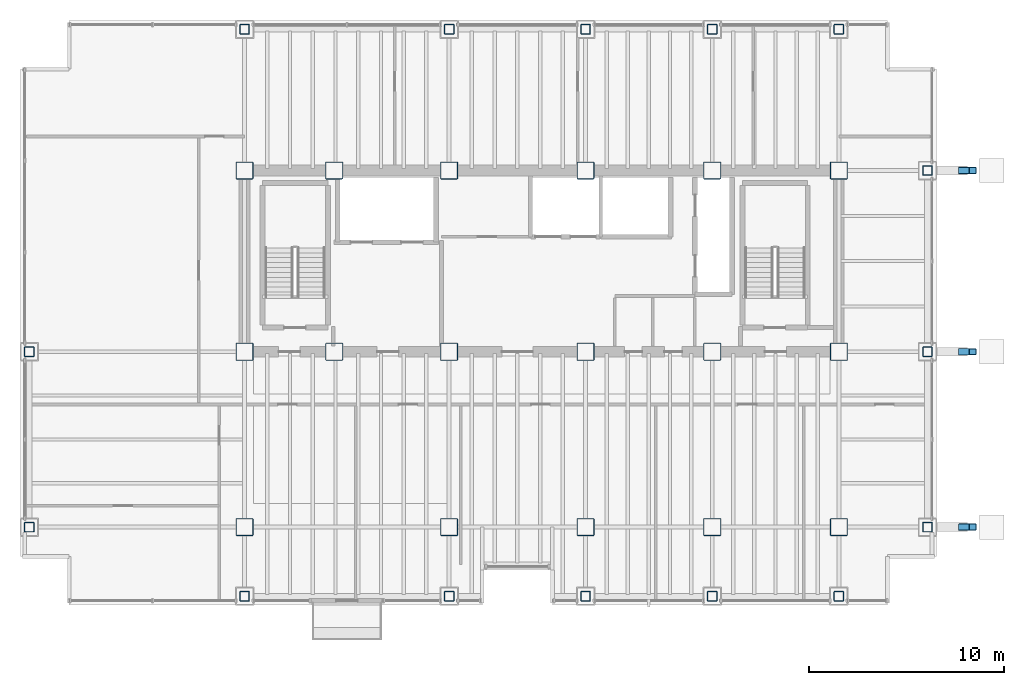
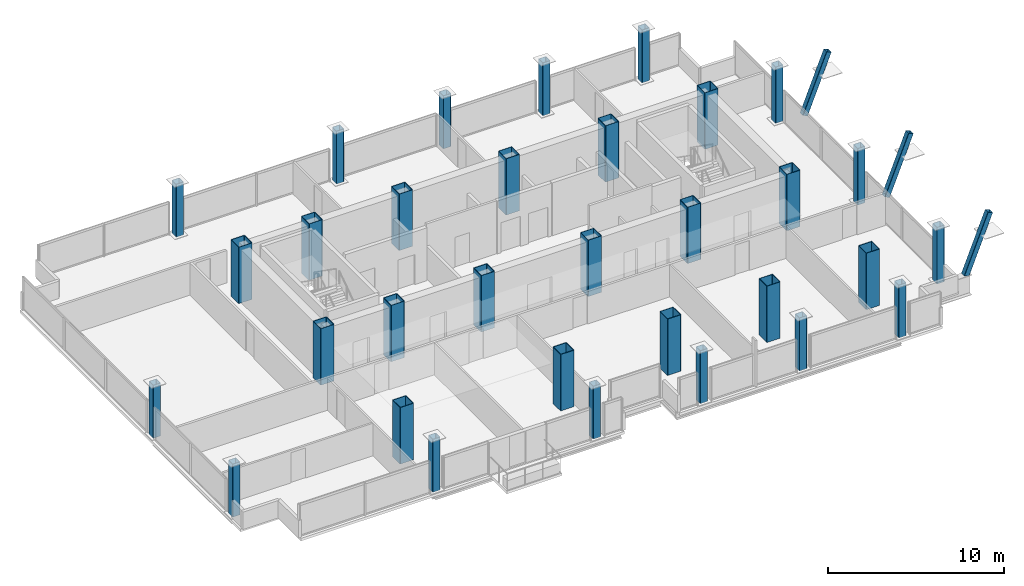
# One storey, part 1 of 19: 35 columns.
"""IFC4 building model written with IfcOpenShell, lengths in metres."""

from ifc_helpers import new_model, si_unit, direction, frame, origin, origin_2d, place, context, subcontext, project, spatial, hollow_rectangle, extrude, material, material_profile, profile_set, type_object, element, save


model = new_model("IFC4")

# Units and contexts
model_context = context("Model", 3, precision=1e-05, world=origin(), true_north=direction((0.0, 1.0)))
body_context = subcontext(model_context, "Body", "Model", "MODEL_VIEW")
ifc_project = project(units=[si_unit("LENGTHUNIT", "METRE"), si_unit("AREAUNIT", "SQUARE_METRE"), si_unit("VOLUMEUNIT", "CUBIC_METRE"), si_unit("PLANEANGLEUNIT", "RADIAN"), si_unit("MASSUNIT", "GRAM", prefix="KILO")], contexts=[model_context])

# Site, building, storey
site_placement = place(None, origin())
site = spatial("IfcSite", under=ifc_project, at=site_placement, CompositionType="ELEMENT")
building_placement = place(site_placement, origin())
building = spatial("IfcBuilding", under=site, at=building_placement, Name="Noeulbin Bourse Tower", CompositionType="ELEMENT")
storey_placement = place(building_placement, frame((0.0, 0.0, 165.60009765625)))
storey = spatial("IfcBuildingStorey", under=building, at=storey_placement, Name="L41", CompositionType="ELEMENT", Elevation=165.60009765625)

# Columns
ifc_material_1 = material(Name="Steel S355", Category="steel")
ifc_material_profile_1 = material_profile(ifc_material_1, hollow_rectangle(XDim=0.35009765625, YDim=0.35009765625, WallThickness=0.01611328125, InnerFilletRadius=0.01611328125, OuterFilletRadius=0.031982421875, at=origin_2d()), Name="SHS-350x350x16", Category="LoadBearing")
ifc_profile_set_1 = profile_set([ifc_material_profile_1], Name="Steel S355")
column_type_1 = type_object("IfcColumnType", Name="COL-CRN-Z5", PredefinedType="COLUMN", material=ifc_profile_set_1)
for number, where, z_axis, x_axis, name in (
    (1, (50.300048828125, 20.0, -0.2001953125), (0.372635016173, 0.0, 0.927977987197), (0.0, 1.0, 0.0), "Exoskeleton Raking Prop Column L41-01"),
    (2, (50.300048828125, 29.0, -0.2001953125), (0.372635016173, 0.0, 0.927977987197), (0.0, 1.0, 0.0), "Exoskeleton Raking Prop Column L41-02"),
    (3, (50.300048828125, 38.300048828125, -0.2001953125), (0.372635016173, 0.0, 0.927977987197), (0.0, 1.0, 0.0), "Exoskeleton Raking Prop Column L41-03"),
):
    element("IfcColumn", number, at=place(storey_placement, frame(where, z_axis=z_axis, x_axis=x_axis)), inside=storey, type_object=column_type_1, Name=name, PredefinedType="COLUMN", context=body_context, shape_type="SweptSolid", body=[
        extrude(hollow_rectangle(XDim=0.35009765625, YDim=0.35009765625, WallThickness=0.01611328125, InnerFilletRadius=0.01611328125, OuterFilletRadius=0.031982421875, at=origin_2d()), origin(), (0.0, 0.0, 1.0), 4.15966796875),
    ])
ifc_material_profile_2 = material_profile(ifc_material_1, hollow_rectangle(XDim=0.5, YDim=0.5, WallThickness=0.02392578125, InnerFilletRadius=0.011962890625, OuterFilletRadius=0.035888671875, at=origin_2d()), Name="BOX-500x500x24", Category="LoadBearing")
ifc_profile_set_2 = profile_set([ifc_material_profile_2], Name="Steel S355")
column_type_2 = type_object("IfcColumnType", Name="COL-PER-Z2", PredefinedType="COLUMN", material=ifc_profile_set_2)
for number, where, z_axis, x_axis, name in (
    (4, (2.449951171875, 20.0, 0.0), (0.0, 0.0, 1.0), (1.0, 0.0, 0.0), "Tower Perimeter Column COL-PER-Z2 01"),
    (5, (2.449951171875, 29.0, 0.0), (0.0, 0.0, 1.0), (1.0, 0.0, 0.0), "Tower Perimeter Column COL-PER-Z2 02"),
    (6, (13.5, 16.449951171875, 0.0), (0.0, 0.0, 1.0), (1.0, 0.0, 0.0), "Tower Perimeter Column COL-PER-Z2 03"),
    (7, (13.5, 45.550048828125, 0.0), (0.0, 0.0, 1.0), (1.0, 0.0, 0.0), "Tower Perimeter Column COL-PER-Z2 04"),
    (8, (24.0, 16.449951171875, 0.0), (0.0, 0.0, 1.0), (1.0, 0.0, 0.0), "Tower Perimeter Column COL-PER-Z2 05"),
    (9, (24.0, 45.550048828125, 0.0), (0.0, 0.0, 1.0), (1.0, 0.0, 0.0), "Tower Perimeter Column COL-PER-Z2 06"),
    (10, (31.0, 16.449951171875, 0.0), (0.0, 0.0, 1.0), (1.0, 0.0, 0.0), "Tower Perimeter Column COL-PER-Z2 07"),
    (11, (31.0, 45.550048828125, 0.0), (0.0, 0.0, 1.0), (1.0, 0.0, 0.0), "Tower Perimeter Column COL-PER-Z2 08"),
    (12, (37.5, 16.449951171875, 0.0), (0.0, 0.0, 1.0), (1.0, 0.0, 0.0), "Tower Perimeter Column COL-PER-Z2 09"),
    (13, (37.5, 45.550048828125, 0.0), (0.0, 0.0, 1.0), (1.0, 0.0, 0.0), "Tower Perimeter Column COL-PER-Z2 10"),
    (14, (44.0, 16.449951171875, 0.0), (0.0, 0.0, 1.0), (1.0, 0.0, 0.0), "Tower Perimeter Column COL-PER-Z2 11"),
    (15, (44.0, 45.550048828125, 0.0), (0.0, 0.0, 1.0), (1.0, 0.0, 0.0), "Tower Perimeter Column COL-PER-Z2 12"),
):
    element("IfcColumn", number, at=place(storey_placement, frame(where, z_axis=z_axis, x_axis=x_axis)), inside=storey, type_object=column_type_2, Name=name, PredefinedType="COLUMN", context=body_context, shape_type="SweptSolid", body=[
        extrude(hollow_rectangle(XDim=0.5, YDim=0.5, WallThickness=0.02392578125, InnerFilletRadius=0.011962890625, OuterFilletRadius=0.035888671875, at=origin_2d()), origin(), (0.0, 0.0, 1.0), 3.659912109375),
    ])
for number, where, z_axis, x_axis, name in (
    (16, (48.550048828125, 20.0, 0.0), (0.0, 0.0, 1.0), (1.0, 0.0, 0.0), "Tower Perimeter Column COL-PER-Z2 13"),
    (17, (48.550048828125, 29.0, 0.0), (0.0, 0.0, 1.0), (1.0, 0.0, 0.0), "Tower Perimeter Column COL-PER-Z2 14"),
    (18, (48.550048828125, 38.300048828125, 0.0), (0.0, 0.0, 1.0), (1.0, 0.0, 0.0), "Tower Perimeter Column COL-PER-Z2 15"),
):
    element("IfcColumn", number, at=place(storey_placement, frame(where, z_axis=z_axis, x_axis=x_axis)), inside=storey, type_object=column_type_2, Name=name, PredefinedType="COLUMN", context=body_context, shape_type="SweptSolid", body=[
        extrude(hollow_rectangle(XDim=0.5, YDim=0.5, WallThickness=0.02392578125, InnerFilletRadius=0.011962890625, OuterFilletRadius=0.035888671875, at=origin_2d()), origin(), (0.0, 0.0, 1.0), 3.89990234375),
    ])
ifc_material_2 = material(Name="Steel S460", Category="steel")
ifc_material_profile_3 = material_profile(ifc_material_2, hollow_rectangle(XDim=0.89990234375, YDim=0.89990234375, WallThickness=0.034912109375, InnerFilletRadius=0.01708984375, OuterFilletRadius=0.052001953125, at=origin_2d()), Name="BOX-900x900x35", Category="LoadBearing")
ifc_profile_set_3 = profile_set([ifc_material_profile_3], Name="Steel S460")
column_type_3 = type_object("IfcColumnType", Name="COL-TRK-Z2", PredefinedType="COLUMN", material=ifc_profile_set_3)
for number, where, z_axis, x_axis, name in (
    (19, (13.5, 29.0, 0.0), (0.0, 0.0, 1.0), (1.0, 0.0, 0.0), "Tower Trunk Mega-Column COL-TRK-Z2 01"),
    (20, (13.5, 38.300048828125, 0.0), (0.0, 0.0, 1.0), (1.0, 0.0, 0.0), "Tower Trunk Mega-Column COL-TRK-Z2 02"),
    (21, (18.10009765625, 29.0, 0.0), (0.0, 0.0, 1.0), (1.0, 0.0, 0.0), "Tower Trunk Mega-Column COL-TRK-Z2 03"),
    (22, (18.10009765625, 38.300048828125, 0.0), (0.0, 0.0, 1.0), (1.0, 0.0, 0.0), "Tower Trunk Mega-Column COL-TRK-Z2 04"),
    (23, (24.0, 29.0, 0.0), (0.0, 0.0, 1.0), (1.0, 0.0, 0.0), "Tower Trunk Mega-Column COL-TRK-Z2 05"),
    (24, (24.0, 38.300048828125, 0.0), (0.0, 0.0, 1.0), (1.0, 0.0, 0.0), "Tower Trunk Mega-Column COL-TRK-Z2 06"),
    (25, (31.0, 29.0, 0.0), (0.0, 0.0, 1.0), (1.0, 0.0, 0.0), "Tower Trunk Mega-Column COL-TRK-Z2 07"),
    (26, (31.0, 38.300048828125, 0.0), (0.0, 0.0, 1.0), (1.0, 0.0, 0.0), "Tower Trunk Mega-Column COL-TRK-Z2 08"),
    (27, (37.5, 29.0, 0.0), (0.0, 0.0, 1.0), (1.0, 0.0, 0.0), "Tower Trunk Mega-Column COL-TRK-Z2 09"),
    (28, (37.5, 38.300048828125, 0.0), (0.0, 0.0, 1.0), (1.0, 0.0, 0.0), "Tower Trunk Mega-Column COL-TRK-Z2 10"),
    (29, (44.0, 29.0, 0.0), (0.0, 0.0, 1.0), (1.0, 0.0, 0.0), "Tower Trunk Mega-Column COL-TRK-Z2 11"),
    (30, (44.0, 38.300048828125, 0.0), (0.0, 0.0, 1.0), (1.0, 0.0, 0.0), "Tower Trunk Mega-Column COL-TRK-Z2 12"),
    (31, (13.5, 20.0, 0.0), (0.0, 0.0, 1.0), (1.0, 0.0, 0.0), "Tower Trunk Mega-Column COL-TRK-Z2 13"),
    (32, (24.0, 20.0, 0.0), (0.0, 0.0, 1.0), (1.0, 0.0, 0.0), "Tower Trunk Mega-Column COL-TRK-Z2 14"),
    (33, (31.0, 20.0, 0.0), (0.0, 0.0, 1.0), (1.0, 0.0, 0.0), "Tower Trunk Mega-Column COL-TRK-Z2 15"),
    (34, (37.5, 20.0, 0.0), (0.0, 0.0, 1.0), (1.0, 0.0, 0.0), "Tower Trunk Mega-Column COL-TRK-Z2 16"),
    (35, (44.0, 20.0, 0.0), (0.0, 0.0, 1.0), (1.0, 0.0, 0.0), "Tower Trunk Mega-Column COL-TRK-Z2 17"),
):
    element("IfcColumn", number, at=place(storey_placement, frame(where, z_axis=z_axis, x_axis=x_axis)), inside=storey, type_object=column_type_3, Name=name, PredefinedType="COLUMN", context=body_context, shape_type="SweptSolid", body=[
        extrude(hollow_rectangle(XDim=0.89990234375, YDim=0.89990234375, WallThickness=0.034912109375, InnerFilletRadius=0.01708984375, OuterFilletRadius=0.052001953125, at=origin_2d()), origin(), (0.0, 0.0, 1.0), 3.89990234375),
    ])

save(model, "model.ifc")
